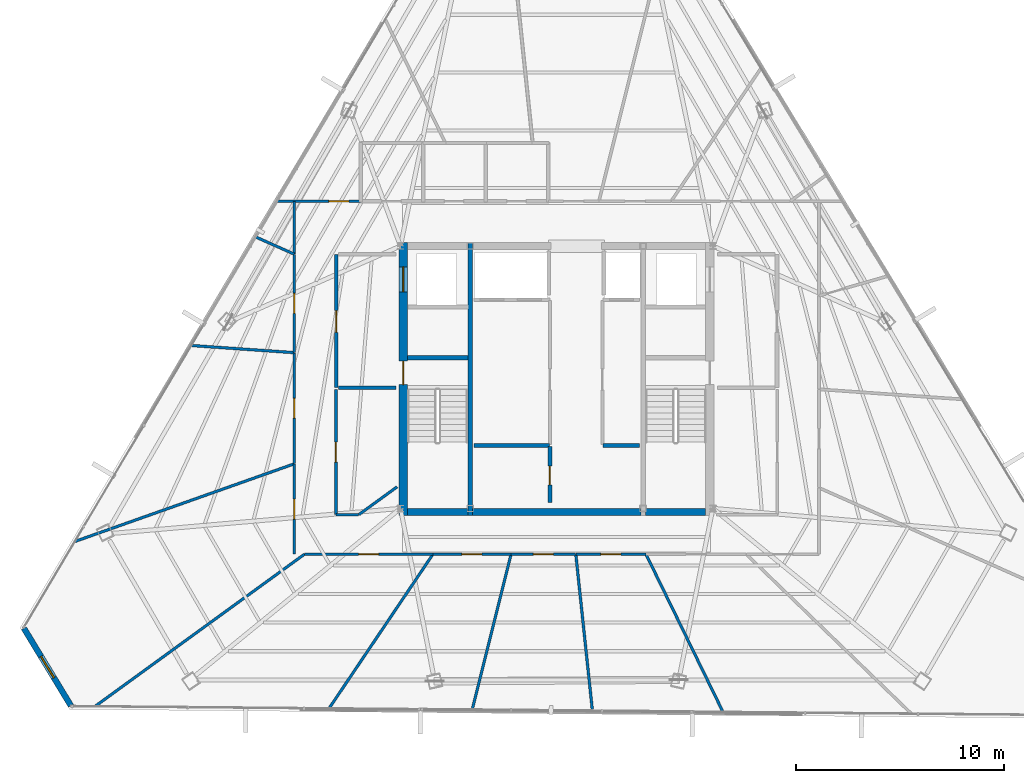
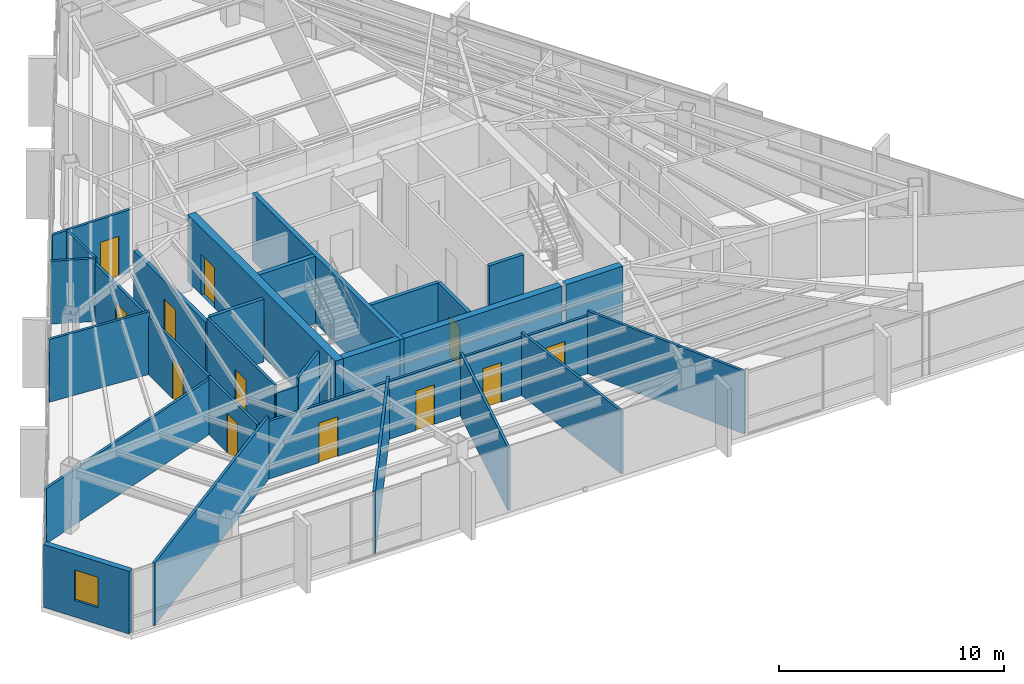
# One storey, part 37 of 42: 32 walls, 13 doors, 1 window, 14 openings.
"""IFC4 building model written with IfcOpenShell, lengths in metres."""

from ifc_helpers import new_model, si_unit, direction, frame, frame_2d, origin, place, context, subcontext, project, spatial, rectangle, extrude, material, layer, layer_set, type_object, element, fill, save


model = new_model("IFC4")

# Units and contexts
model_context = context("Model", 3, precision=1e-05, world=origin(), true_north=direction((0.0, 1.0)))
body_context = subcontext(model_context, "Body", "Model", "MODEL_VIEW")
ifc_project = project(units=[si_unit("LENGTHUNIT", "METRE"), si_unit("AREAUNIT", "SQUARE_METRE"), si_unit("VOLUMEUNIT", "CUBIC_METRE"), si_unit("PLANEANGLEUNIT", "RADIAN"), si_unit("MASSUNIT", "GRAM", prefix="KILO")], contexts=[model_context])

# Site, building, storey
site_placement = place(None, origin())
site = spatial("IfcSite", under=ifc_project, at=site_placement, CompositionType="ELEMENT")
building_placement = place(site_placement, origin())
building = spatial("IfcBuilding", under=site, at=building_placement, Name="Caelisora Broadcast Tower", CompositionType="ELEMENT")
storey_placement = place(building_placement, frame((0.0, 0.0, 244.449951171875)))
storey = spatial("IfcBuildingStorey", under=building, at=storey_placement, Name="L64", CompositionType="ELEMENT", Elevation=244.449951171875)

# Wall, openings, doors
ifc_material_1 = material(Name="Concrete 40 MPa (AS 3600 N40)", Category="concrete")
ifc_layer_1 = layer(ifc_material_1, 0.39990234375, Name="Concrete 40 MPa (AS 3600 N40)")
ifc_layer_set_1 = layer_set([ifc_layer_1], Name="Concrete 40 MPa (AS 3600 N40)")
wall_type_1 = type_object("IfcWallType", Name="CW3", PredefinedType="SHEAR", material=ifc_layer_set_1)
wall_1_placement = place(storey_placement, frame((30.639892578125, 17.050048828125, 0.0), z_axis=(0.0, 0.0, 1.0), x_axis=(0.0, 1.0, 0.0)))
wall_1 = element("IfcWall", 1, at=wall_1_placement, inside=storey, type_object=wall_type_1, Name="L64 core shear wall CW3", PredefinedType="SHEAR", context=body_context, shape_type="SweptSolid", body=[
    extrude(rectangle(XDim=13.125, YDim=0.39990234375, at=frame_2d((6.5625, 0.0))), origin(), (0.0, 0.0, 1.0), 3.650146484375),
])
opening_1_placement = place(wall_1_placement, frame((6.300048828125, 0.0, 0.0)))
opening_1 = element("IfcOpeningElement", 2, at=opening_1_placement, cuts=wall_1, Name="Opening FD04", PredefinedType="OPENING", context=body_context, shape_type="SweptSolid", body=[
    extrude(rectangle(XDim=1.1201171875, YDim=2.14990234375, at=frame_2d((0.56005859375, 1.074951171875))), frame((0.0, 0.2119140625, 0.0), z_axis=(0.0, -1.0, 0.0), x_axis=(1.0, 0.0, 0.0)), (0.0, 0.0, 1.0), 0.423828125),
])
opening_2_placement = place(wall_1_placement, frame((10.75, 0.0, 0.0)))
opening_2 = element("IfcOpeningElement", 3, at=opening_2_placement, cuts=wall_1, Name="Opening LD04", PredefinedType="OPENING", context=body_context, shape_type="SweptSolid", body=[
    extrude(rectangle(XDim=1.199951171875, YDim=2.199951171875, at=frame_2d((0.60009765625, 1.10009765625))), frame((0.0, 0.2119140625, 0.0), z_axis=(0.0, -1.0, 0.0), x_axis=(1.0, 0.0, 0.0)), (0.0, 0.0, 1.0), 0.423828125),
])
ifc_material_2 = material(Name="Pressurised Fire-Isolated Stair Door", Category="steel")
door_type_1 = type_object("IfcDoorType", Name="FD04", OperationType="NOTDEFINED", PredefinedType="DOOR", material=ifc_material_2)
door_1_placement = place(opening_1_placement, origin())
door_1 = element("IfcDoor", 4, at=door_1_placement, inside=storey, type_object=door_type_1, Name="L64 door FD04 (L64-DR-ST1)", OperationType="SINGLE_SWING_LEFT", OverallHeight=2.14990234375, OverallWidth=1.1201171875, PredefinedType="DOOR", context=body_context, shape_type="SweptSolid", body=[
    extrude(rectangle(XDim=1.1201171875, YDim=2.14990234375, at=frame_2d((0.56005859375, 1.074951171875))), frame((0.0, 0.02490234375, 0.0), z_axis=(0.0, -1.0, 0.0), x_axis=(1.0, 0.0, 0.0)), (0.0, 0.0, 1.0), 0.050048828125),
])
fill(opening_1, door_1)
ifc_material_3 = material(Name="Emergency Firefighting Lift Sliding Landing Door", Category="steel")
door_type_2 = type_object("IfcDoorType", Name="LD04", OperationType="NOTDEFINED", PredefinedType="DOOR", material=ifc_material_3)
door_2_placement = place(opening_2_placement, origin())
door_2 = element("IfcDoor", 5, at=door_2_placement, inside=storey, type_object=door_type_2, Name="L64 door LD04 (L64-LD-FFL1)", OperationType="SLIDING_TO_LEFT", OverallHeight=2.199951171875, OverallWidth=1.199951171875, PredefinedType="DOOR", context=body_context, shape_type="SweptSolid", body=[
    extrude(rectangle(XDim=1.199951171875, YDim=2.199951171875, at=frame_2d((0.60009765625, 1.10009765625))), frame((0.0, 0.02490234375, 0.0), z_axis=(0.0, -1.0, 0.0), x_axis=(1.0, 0.0, 0.0)), (0.0, 0.0, 1.0), 0.050048828125),
])
fill(opening_2, door_2)

# Walls
ifc_layer_2 = layer(ifc_material_1, 0.35009765625, Name="Concrete 40 MPa (AS 3600 N40)")
ifc_layer_set_2 = layer_set([ifc_layer_2], Name="Concrete 40 MPa (AS 3600 N40)")
wall_type_2 = type_object("IfcWallType", Name="CW6", PredefinedType="SHEAR", material=ifc_layer_set_2)
wall_2_placement = place(storey_placement, frame((30.840087890625, 17.22509765625, 0.0), z_axis=(0.0, 0.0, 1.0), x_axis=(1.0, 0.0, 0.0)))
element("IfcWall", 6, at=wall_2_placement, inside=storey, type_object=wall_type_2, Name="L64 core shear wall CW6", PredefinedType="SHEAR", context=body_context, shape_type="SweptSolid", body=[
    extrude(rectangle(XDim=2.89990234375, YDim=0.35009765625, at=frame_2d((1.449951171875, 0.0))), origin(), (0.0, 0.0, 1.0), 3.650146484375),
])
wall_3_placement = place(storey_placement, frame((33.9599609375, 17.22509765625, 0.0), z_axis=(0.0, 0.0, 1.0), x_axis=(1.0, 0.0, 0.0)))
element("IfcWall", 7, at=wall_3_placement, inside=storey, type_object=wall_type_2, Name="L64 core shear wall CW6", PredefinedType="SHEAR", context=body_context, shape_type="SweptSolid", body=[
    extrude(rectangle(XDim=8.080078125, YDim=0.35009765625, at=frame_2d((4.0400390625, 0.0))), origin(), (0.0, 0.0, 1.0), 3.650146484375),
])
wall_4_placement = place(storey_placement, frame((42.260009765625, 17.22509765625, 0.0), z_axis=(0.0, 0.0, 1.0), x_axis=(1.0, 0.0, 0.0)))
element("IfcWall", 8, at=wall_4_placement, inside=storey, type_object=wall_type_2, Name="L64 core shear wall CW6", PredefinedType="SHEAR", context=body_context, shape_type="SweptSolid", body=[
    extrude(rectangle(XDim=2.89990234375, YDim=0.35009765625, at=frame_2d((1.449951171875, 0.0))), origin(), (0.0, 0.0, 1.0), 3.650146484375),
])
ifc_material_4 = material(Name="Concrete 50 MPa (AS 3600 S50)", Category="concrete")
ifc_layer_3 = layer(ifc_material_4, 0.219970703125, Name="Concrete 50 MPa (AS 3600 S50)")
ifc_layer_set_3 = layer_set([ifc_layer_3], Name="Concrete 50 MPa (AS 3600 S50)")
wall_type_3 = type_object("IfcWallType", Name="CW7", PredefinedType="SHEAR", material=ifc_layer_set_3)
wall_5_placement = place(storey_placement, frame((33.85009765625, 17.050048828125, 0.0), z_axis=(0.0, 0.0, 1.0), x_axis=(0.0, 1.0, 0.0)))
element("IfcWall", 9, at=wall_5_placement, inside=storey, type_object=wall_type_3, Name="L64 core shear wall CW7", PredefinedType="SHEAR", context=body_context, shape_type="SweptSolid", body=[
    extrude(rectangle(XDim=13.125, YDim=0.219970703125, at=frame_2d((6.5625, 0.0))), origin(), (0.0, 0.0, 1.0), 3.650146484375),
])
wall_6_placement = place(storey_placement, frame((30.840087890625, 24.639892578125, 0.0), z_axis=(0.0, 0.0, 1.0), x_axis=(1.0, 0.0, 0.0)))
element("IfcWall", 10, at=wall_6_placement, inside=storey, type_object=wall_type_3, Name="L64 core shear wall CW7", PredefinedType="SHEAR", context=body_context, shape_type="SweptSolid", body=[
    extrude(rectangle(XDim=2.89990234375, YDim=0.219970703125, at=frame_2d((1.449951171875, 0.0))), origin(), (0.0, 0.0, 1.0), 3.650146484375),
])

# Wall, opening, window
ifc_material_5 = material(Name="Insulated Terracotta Spandrel Wall System", Category="masonry")
ifc_layer_4 = layer(ifc_material_5, 0.280029296875, Name="Insulated Terracotta Spandrel Wall System")
ifc_layer_set_4 = layer_set([ifc_layer_4], Name="Insulated Terracotta Spandrel Wall System")
wall_type_4 = type_object("IfcWallType", Name="EW1", PredefinedType="STANDARD", material=ifc_layer_set_4)
wall_7_placement = place(storey_placement, frame((14.67333984375, 7.924560546875, 0.0), z_axis=(0.0, 0.0, 1.0), x_axis=(-0.518678987338, 0.854969068501, 0.0)))
wall_7 = element("IfcWall", 11, at=wall_7_placement, inside=storey, type_object=wall_type_4, Name="L64 exterior envelope wall EW1", PredefinedType="STANDARD", context=body_context, shape_type="SweptSolid", body=[
    extrude(rectangle(XDim=4.344970703125, YDim=0.280029296875, at=frame_2d((2.17236328125, 0.0))), origin(), (0.0, 0.0, 1.0), 3.400146484375),
])
opening_3_placement = place(wall_7_placement, frame((1.570068359375, 0.0, 0.89990234375)))
opening_3 = element("IfcOpeningElement", 12, at=opening_3_placement, cuts=wall_7, Name="Opening W03", PredefinedType="OPENING", context=body_context, shape_type="SweptSolid", body=[
    extrude(rectangle(XDim=1.199951171875, YDim=1.64990234375, at=frame_2d((0.60009765625, 0.824951171875))), frame((0.0, 0.152099609375, 0.0), z_axis=(0.0, -1.0, 0.0), x_axis=(1.0, 0.0, 0.0)), (0.0, 0.0, 1.0), 0.303955078125),
])
ifc_material_6 = material(Name="Double Glazed Corner Vision Window", Category="glass")
window_type = type_object("IfcWindowType", Name="W03", PartitioningType="SINGLE_PANEL", PredefinedType="WINDOW", material=ifc_material_6)
window_placement = place(opening_3_placement, origin())
window = element("IfcWindow", 13, at=window_placement, inside=storey, type_object=window_type, Name="L64 window W03 (L64-WN-CH4)", OverallHeight=1.64990234375, OverallWidth=1.199951171875, PartitioningType="SINGLE_PANEL", PredefinedType="WINDOW", context=body_context, shape_type="SweptSolid", body=[
    extrude(rectangle(XDim=1.199951171875, YDim=1.64990234375, at=frame_2d((0.60009765625, 0.824951171875))), frame((0.0, 0.030029296875, 0.0), z_axis=(0.0, -1.0, 0.0), x_axis=(1.0, 0.0, 0.0)), (0.0, 0.0, 1.0), 0.06005859375),
])
fill(opening_3, window)

# Wall, opening, door
ifc_material_7 = material(Name="Fire-Rated Gypsum Shaft and Compartment Wall", Category="gypsum")
ifc_layer_5 = layer(ifc_material_7, 0.179931640625, Name="Fire-Rated Gypsum Shaft and Compartment Wall")
ifc_layer_set_5 = layer_set([ifc_layer_5], Name="Fire-Rated Gypsum Shaft and Compartment Wall")
wall_type_5 = type_object("IfcWallType", Name="PW2", PredefinedType="PARTITIONING", material=ifc_layer_set_5)
wall_8_placement = place(storey_placement, frame((27.419921875, 23.199951171875, 0.0), z_axis=(0.0, 0.0, 1.0), x_axis=(0.0, 1.0, 0.0)))
wall_8 = element("IfcWall", 14, at=wall_8_placement, inside=storey, type_object=wall_type_5, Name="L64 fire compartment wall PW2", PredefinedType="PARTITIONING", context=body_context, shape_type="SweptSolid", body=[
    extrude(rectangle(XDim=6.400146484375, YDim=0.179931640625, at=frame_2d((3.2001953125, 0.0))), origin(), (0.0, 0.0, 1.0), 3.12890625),
])
opening_4_placement = place(wall_8_placement, frame((2.64990234375, 0.0, 0.0)))
opening_4 = element("IfcOpeningElement", 15, at=opening_4_placement, cuts=wall_8, Name="Opening FD02", PredefinedType="OPENING", context=body_context, shape_type="SweptSolid", body=[
    extrude(rectangle(XDim=1.050048828125, YDim=2.14990234375, at=frame_2d((0.52490234375, 1.074951171875))), frame((0.0, 0.10205078125, 0.0), z_axis=(0.0, -1.0, 0.0), x_axis=(1.0, 0.0, 0.0)), (0.0, 0.0, 1.0), 0.203857421875),
])
ifc_material_8 = material(Name="Single-Leaf Steel Fire Lobby Door", Category="steel")
door_type_3 = type_object("IfcDoorType", Name="FD02", OperationType="NOTDEFINED", PredefinedType="DOOR", material=ifc_material_8)
door_3_placement = place(opening_4_placement, origin())
door_3 = element("IfcDoor", 16, at=door_3_placement, inside=storey, type_object=door_type_3, Name="L64 door FD02 (L64-DR-P01D1)", OperationType="SINGLE_SWING_LEFT", OverallHeight=2.14990234375, OverallWidth=1.050048828125, PredefinedType="DOOR", context=body_context, shape_type="SweptSolid", body=[
    extrude(rectangle(XDim=1.050048828125, YDim=2.14990234375, at=frame_2d((0.52490234375, 1.074951171875))), frame((0.0, 0.02490234375, 0.0), z_axis=(0.0, -1.0, 0.0), x_axis=(1.0, 0.0, 0.0)), (0.0, 0.0, 1.0), 0.050048828125),
])
fill(opening_4, door_3)

# Walls
wall_9_placement = place(storey_placement, frame((27.52001953125, 23.199951171875, 0.0), z_axis=(0.0, 0.0, 1.0), x_axis=(1.0, 0.0, 0.0)))
element("IfcWall", 17, at=wall_9_placement, inside=storey, type_object=wall_type_5, Name="L64 fire compartment wall PW2", PredefinedType="PARTITIONING", context=body_context, shape_type="SweptSolid", body=[
    extrude(rectangle(XDim=2.760009765625, YDim=0.179931640625, at=frame_2d((1.3798828125, 0.0))), origin(), (0.0, 0.0, 1.0), 3.400146484375),
])
wall_10_placement = place(storey_placement, frame((34.02001953125, 20.419921875, 0.0), z_axis=(0.0, 0.0, 1.0), x_axis=(1.0, 0.0, 0.0)))
element("IfcWall", 18, at=wall_10_placement, inside=storey, type_object=wall_type_5, Name="L64 fire compartment wall PW2", PredefinedType="PARTITIONING", context=body_context, shape_type="SweptSolid", body=[
    extrude(rectangle(XDim=3.639892578125, YDim=0.179931640625, at=frame_2d((1.81982421875, 0.0))), origin(), (0.0, 0.0, 1.0), 3.400146484375),
])
wall_11_placement = place(storey_placement, frame((40.219970703125, 20.419921875, 0.0), z_axis=(0.0, 0.0, 1.0), x_axis=(1.0, 0.0, 0.0)))
element("IfcWall", 19, at=wall_11_placement, inside=storey, type_object=wall_type_5, Name="L64 fire compartment wall PW2", PredefinedType="PARTITIONING", context=body_context, shape_type="SweptSolid", body=[
    extrude(rectangle(XDim=1.760009765625, YDim=0.179931640625, at=frame_2d((0.8798828125, 0.0))), origin(), (0.0, 0.0, 1.0), 3.400146484375),
])

# Wall, opening, door
wall_12_placement = place(storey_placement, frame((37.679931640625, 17.679931640625, 0.0), z_axis=(0.0, 0.0, 1.0), x_axis=(0.0, 1.0, 0.0)))
wall_12 = element("IfcWall", 20, at=wall_12_placement, inside=storey, type_object=wall_type_5, Name="L64 fire compartment wall PW2", PredefinedType="PARTITIONING", context=body_context, shape_type="SweptSolid", body=[
    extrude(rectangle(XDim=2.699951171875, YDim=0.179931640625, at=frame_2d((1.35009765625, 0.0))), origin(), (0.0, 0.0, 1.0), 3.400146484375),
])
opening_5_placement = place(wall_12_placement, frame((0.85009765625, 0.0, 0.0)))
opening_5 = element("IfcOpeningElement", 21, at=opening_5_placement, cuts=wall_12, Name="Opening FD03", PredefinedType="OPENING", context=body_context, shape_type="SweptSolid", body=[
    extrude(rectangle(XDim=0.89990234375, YDim=2.10009765625, at=frame_2d((0.449951171875, 1.050048828125))), frame((0.0, 0.10205078125, 0.0), z_axis=(0.0, -1.0, 0.0), x_axis=(1.0, 0.0, 0.0)), (0.0, 0.0, 1.0), 0.203857421875),
])
ifc_material_9 = material(Name="Single-Leaf Steel Riser Fire Access Door", Category="steel")
door_type_4 = type_object("IfcDoorType", Name="FD03", OperationType="NOTDEFINED", PredefinedType="DOOR", material=ifc_material_9)
door_4_placement = place(opening_5_placement, origin())
door_4 = element("IfcDoor", 22, at=door_4_placement, inside=storey, type_object=door_type_4, Name="L64 door FD03 (L64-DR-P13D1)", OperationType="SINGLE_SWING_LEFT", OverallHeight=2.10009765625, OverallWidth=0.89990234375, PredefinedType="DOOR", context=body_context, shape_type="SweptSolid", body=[
    extrude(rectangle(XDim=0.89990234375, YDim=2.10009765625, at=frame_2d((0.449951171875, 1.050048828125))), frame((0.0, 0.02490234375, 0.0), z_axis=(0.0, -1.0, 0.0), x_axis=(1.0, 0.0, 0.0)), (0.0, 0.0, 1.0), 0.050048828125),
])
fill(opening_5, door_4)

# Walls
ifc_material_10 = material(Name="Acoustic Steel-Stud Plasterboard Partition", Category="gypsum")
ifc_layer_6 = layer(ifc_material_10, 0.1298828125, Name="Acoustic Steel-Stud Plasterboard Partition")
ifc_layer_set_6 = layer_set([ifc_layer_6], Name="Acoustic Steel-Stud Plasterboard Partition")
wall_type_6 = type_object("IfcWallType", Name="PW3", PredefinedType="PARTITIONING", material=ifc_layer_set_6)
wall_13_placement = place(storey_placement, frame((15.819580078125, 7.884033203125, 0.0), z_axis=(0.0, 0.0, 1.0), x_axis=(0.809043133631, 0.587749273011, 0.0)))
element("IfcWall", 23, at=wall_13_placement, inside=storey, type_object=wall_type_6, Name="L64 internal partition PW3", PredefinedType="PARTITIONING", context=body_context, shape_type="SweptSolid", body=[
    extrude(rectangle(XDim=12.4423828125, YDim=0.1298828125, at=frame_2d((6.22119140625, 0.0))), origin(), (0.0, 0.0, 1.0), 3.400146484375),
])
wall_14_placement = place(storey_placement, frame((14.86279296875, 15.810546875, 0.0), z_axis=(0.0, 0.0, 1.0), x_axis=(0.942701126823, 0.333638405293, 0.0)))
element("IfcWall", 24, at=wall_14_placement, inside=storey, type_object=wall_type_6, Name="L64 internal partition PW3", PredefinedType="PARTITIONING", context=body_context, shape_type="SweptSolid", body=[
    extrude(rectangle(XDim=11.17236328125, YDim=0.1298828125, at=frame_2d((5.586181640625, 0.0))), origin(), (0.0, 0.0, 1.0), 2.985107421875),
])
wall_15_placement = place(storey_placement, frame((27.0625, 7.78271484375, 0.0), z_axis=(0.0, 0.0, 1.0), x_axis=(0.558733820508, 0.829347043053, 0.0)))
element("IfcWall", 25, at=wall_15_placement, inside=storey, type_object=wall_type_6, Name="L64 internal partition PW3", PredefinedType="PARTITIONING", context=body_context, shape_type="SweptSolid", body=[
    extrude(rectangle(XDim=8.938720703125, YDim=0.1298828125, at=frame_2d((4.46923828125, 0.0))), origin(), (0.0, 0.0, 1.0), 3.400146484375),
])
wall_16_placement = place(storey_placement, frame((42.2919921875, 15.196044921875, 0.0), z_axis=(0.0, 0.0, 1.0), x_axis=(0.438770116062, -0.898599346345, 0.0)))
element("IfcWall", 26, at=wall_16_placement, inside=storey, type_object=wall_type_6, Name="L64 internal partition PW3", PredefinedType="PARTITIONING", context=body_context, shape_type="SweptSolid", body=[
    extrude(rectangle(XDim=8.439697265625, YDim=0.1298828125, at=frame_2d((4.2197265625, 0.0))), origin(), (0.0, 0.0, 1.0), 3.400146484375),
])
wall_17_placement = place(storey_placement, frame((33.942626953125, 7.720703125, 0.0), z_axis=(0.0, 0.0, 1.0), x_axis=(0.242274634851, 0.970207710394, 0.0)))
element("IfcWall", 27, at=wall_17_placement, inside=storey, type_object=wall_type_6, Name="L64 internal partition PW3", PredefinedType="PARTITIONING", context=body_context, shape_type="SweptSolid", body=[
    extrude(rectangle(XDim=7.703857421875, YDim=0.1298828125, at=frame_2d((3.85205078125, 0.0))), origin(), (0.0, 0.0, 1.0), 3.400146484375),
])
wall_18_placement = place(storey_placement, frame((38.9208984375, 15.195068359375, 0.0), z_axis=(0.0, 0.0, 1.0), x_axis=(0.105512559397, -0.994417970377, 0.0)))
element("IfcWall", 28, at=wall_18_placement, inside=storey, type_object=wall_type_6, Name="L64 internal partition PW3", PredefinedType="PARTITIONING", context=body_context, shape_type="SweptSolid", body=[
    extrude(rectangle(XDim=7.568603515625, YDim=0.1298828125, at=frame_2d((3.7841796875, 0.0))), origin(), (0.0, 0.0, 1.0), 3.400146484375),
])

# Wall, opening, door
wall_19_placement = place(storey_placement, frame((25.89501953125, 15.199951171875, 0.0), z_axis=(0.0, 0.0, 1.0), x_axis=(1.0, 0.0, 0.0)))
wall_19 = element("IfcWall", 29, at=wall_19_placement, inside=storey, type_object=wall_type_6, Name="L64 internal partition PW3", PredefinedType="PARTITIONING", context=body_context, shape_type="SweptSolid", body=[
    extrude(rectangle(XDim=6.159912109375, YDim=0.1298828125, at=frame_2d((3.080078125, 0.0))), origin(), (0.0, 0.0, 1.0), 3.12890625),
])
opening_6_placement = place(wall_19_placement, frame((2.60009765625, 0.0, 0.0)))
opening_6 = element("IfcOpeningElement", 30, at=opening_6_placement, cuts=wall_19, Name="Opening D01", PredefinedType="OPENING", context=body_context, shape_type="SweptSolid", body=[
    extrude(rectangle(XDim=0.9599609375, YDim=2.14990234375, at=frame_2d((0.47998046875, 1.074951171875))), frame((0.0, 0.076904296875, 0.0), z_axis=(0.0, -1.0, 0.0), x_axis=(1.0, 0.0, 0.0)), (0.0, 0.0, 1.0), 0.15380859375),
])
ifc_material_11 = material(Name="Solid-Core Timber Acoustic Office Door", Category="wood")
door_type_5 = type_object("IfcDoorType", Name="D01", OperationType="NOTDEFINED", PredefinedType="DOOR", material=ifc_material_11)
door_5_placement = place(opening_6_placement, origin())
door_5 = element("IfcDoor", 31, at=door_5_placement, inside=storey, type_object=door_type_5, Name="L64 door D01 (L64-DR-P41D1)", OperationType="SINGLE_SWING_RIGHT", OverallHeight=2.14990234375, OverallWidth=0.9599609375, PredefinedType="DOOR", context=body_context, shape_type="SweptSolid", body=[
    extrude(rectangle(XDim=0.9599609375, YDim=2.14990234375, at=frame_2d((0.47998046875, 1.074951171875))), frame((0.0, 0.02490234375, 0.0), z_axis=(0.0, -1.0, 0.0), x_axis=(1.0, 0.0, 0.0)), (0.0, 0.0, 1.0), 0.050048828125),
])
fill(opening_6, door_5)

wall_20_placement = place(storey_placement, frame((27.39990234375, 17.10498046875, 0.0), z_axis=(0.0, 0.0, 1.0), x_axis=(0.0, 1.0, 0.0)))
wall_20 = element("IfcWall", 32, at=wall_20_placement, inside=storey, type_object=wall_type_6, Name="L64 internal partition PW3", PredefinedType="PARTITIONING", context=body_context, shape_type="SweptSolid", body=[
    extrude(rectangle(XDim=6.0, YDim=0.1298828125, at=frame_2d((3.0, 0.0))), origin(), (0.0, 0.0, 1.0), 3.400146484375),
])
opening_7_placement = place(wall_20_placement, frame((2.52001953125, 0.0, 0.0)))
opening_7 = element("IfcOpeningElement", 33, at=opening_7_placement, cuts=wall_20, Name="Opening D01", PredefinedType="OPENING", context=body_context, shape_type="SweptSolid", body=[
    extrude(rectangle(XDim=0.9599609375, YDim=2.14990234375, at=frame_2d((0.47998046875, 1.074951171875))), frame((0.0, 0.076904296875, 0.0), z_axis=(0.0, -1.0, 0.0), x_axis=(1.0, 0.0, 0.0)), (0.0, 0.0, 1.0), 0.15380859375),
])
door_6_placement = place(opening_7_placement, origin())
door_6 = element("IfcDoor", 34, at=door_6_placement, inside=storey, type_object=door_type_5, Name="L64 door D01 (L64-DR-P42D1)", OperationType="SINGLE_SWING_LEFT", OverallHeight=2.14990234375, OverallWidth=0.9599609375, PredefinedType="DOOR", context=body_context, shape_type="SweptSolid", body=[
    extrude(rectangle(XDim=0.9599609375, YDim=2.14990234375, at=frame_2d((0.47998046875, 1.074951171875))), frame((0.0, 0.02490234375, 0.0), z_axis=(0.0, -1.0, 0.0), x_axis=(1.0, 0.0, 0.0)), (0.0, 0.0, 1.0), 0.050048828125),
])
fill(opening_7, door_6)

wall_21_placement = place(storey_placement, frame((25.39990234375, 19.544921875, 0.0), z_axis=(0.0, 0.0, 1.0), x_axis=(0.0, 1.0, 0.0)))
wall_21 = element("IfcWall", 35, at=wall_21_placement, inside=storey, type_object=wall_type_6, Name="L64 internal partition PW3", PredefinedType="PARTITIONING", context=body_context, shape_type="SweptSolid", body=[
    extrude(rectangle(XDim=5.330078125, YDim=0.1298828125, at=frame_2d((2.6650390625, 0.0))), origin(), (0.0, 0.0, 1.0), 3.12890625),
])
opening_8_placement = place(wall_21_placement, frame((2.18505859375, 0.0, 0.0)))
opening_8 = element("IfcOpeningElement", 36, at=opening_8_placement, cuts=wall_21, Name="Opening D01", PredefinedType="OPENING", context=body_context, shape_type="SweptSolid", body=[
    extrude(rectangle(XDim=0.9599609375, YDim=2.14990234375, at=frame_2d((0.47998046875, 1.074951171875))), frame((0.0, 0.076904296875, 0.0), z_axis=(0.0, -1.0, 0.0), x_axis=(1.0, 0.0, 0.0)), (0.0, 0.0, 1.0), 0.15380859375),
])
door_7_placement = place(opening_8_placement, origin())
door_7 = element("IfcDoor", 37, at=door_7_placement, inside=storey, type_object=door_type_5, Name="L64 door D01 (L64-DR-P45D1)", OperationType="SINGLE_SWING_RIGHT", OverallHeight=2.14990234375, OverallWidth=0.9599609375, PredefinedType="DOOR", context=body_context, shape_type="SweptSolid", body=[
    extrude(rectangle(XDim=0.9599609375, YDim=2.14990234375, at=frame_2d((0.47998046875, 1.074951171875))), frame((0.0, 0.02490234375, 0.0), z_axis=(0.0, -1.0, 0.0), x_axis=(1.0, 0.0, 0.0)), (0.0, 0.0, 1.0), 0.050048828125),
])
fill(opening_8, door_7)

# Wall
wall_22_placement = place(storey_placement, frame((20.4580078125, 25.222412109375, 0.0), z_axis=(0.0, 0.0, 1.0), x_axis=(0.997601870104, -0.069213501323, 0.0)))
element("IfcWall", 38, at=wall_22_placement, inside=storey, type_object=wall_type_6, Name="L64 internal partition PW3", PredefinedType="PARTITIONING", context=body_context, shape_type="SweptSolid", body=[
    extrude(rectangle(XDim=4.948974609375, YDim=0.1298828125, at=frame_2d((2.474609375, 0.0))), origin(), (0.0, 0.0, 1.0), 3.400146484375),
])

# Wall, opening, door
wall_23_placement = place(storey_placement, frame((25.39990234375, 24.885009765625, 0.0), z_axis=(0.0, 0.0, 1.0), x_axis=(0.0, 1.0, 0.0)))
wall_23 = element("IfcWall", 39, at=wall_23_placement, inside=storey, type_object=wall_type_6, Name="L64 internal partition PW3", PredefinedType="PARTITIONING", context=body_context, shape_type="SweptSolid", body=[
    extrude(rectangle(XDim=4.719970703125, YDim=0.1298828125, at=frame_2d((2.35986328125, 0.0))), origin(), (0.0, 0.0, 1.0), 3.12890625),
])
opening_9_placement = place(wall_23_placement, frame((1.8798828125, 0.0, 0.0)))
opening_9 = element("IfcOpeningElement", 40, at=opening_9_placement, cuts=wall_23, Name="Opening D01", PredefinedType="OPENING", context=body_context, shape_type="SweptSolid", body=[
    extrude(rectangle(XDim=0.9599609375, YDim=2.14990234375, at=frame_2d((0.47998046875, 1.074951171875))), frame((0.0, 0.076904296875, 0.0), z_axis=(0.0, -1.0, 0.0), x_axis=(1.0, 0.0, 0.0)), (0.0, 0.0, 1.0), 0.15380859375),
])
door_8_placement = place(opening_9_placement, origin())
door_8 = element("IfcDoor", 41, at=door_8_placement, inside=storey, type_object=door_type_5, Name="L64 door D01 (L64-DR-P49D1)", OperationType="SINGLE_SWING_LEFT", OverallHeight=2.14990234375, OverallWidth=0.9599609375, PredefinedType="DOOR", context=body_context, shape_type="SweptSolid", body=[
    extrude(rectangle(XDim=0.9599609375, YDim=2.14990234375, at=frame_2d((0.47998046875, 1.074951171875))), frame((0.0, 0.02490234375, 0.0), z_axis=(0.0, -1.0, 0.0), x_axis=(1.0, 0.0, 0.0)), (0.0, 0.0, 1.0), 0.050048828125),
])
fill(opening_9, door_8)

wall_24_placement = place(storey_placement, frame((25.39990234375, 19.534912109375, 0.0), z_axis=(0.0, 0.0, 1.0), x_axis=(0.0, -1.0, 0.0)))
wall_24 = element("IfcWall", 42, at=wall_24_placement, inside=storey, type_object=wall_type_6, Name="L64 internal partition PW3", PredefinedType="PARTITIONING", context=body_context, shape_type="SweptSolid", body=[
    extrude(rectangle(XDim=4.329833984375, YDim=0.1298828125, at=frame_2d((2.1650390625, 0.0))), origin(), (0.0, 0.0, 1.0), 3.12890625),
])
opening_10_placement = place(wall_24_placement, frame((1.68505859375, 0.0, 0.0)))
opening_10 = element("IfcOpeningElement", 43, at=opening_10_placement, cuts=wall_24, Name="Opening D01", PredefinedType="OPENING", context=body_context, shape_type="SweptSolid", body=[
    extrude(rectangle(XDim=0.9599609375, YDim=2.14990234375, at=frame_2d((0.47998046875, 1.074951171875))), frame((0.0, 0.076904296875, 0.0), z_axis=(0.0, -1.0, 0.0), x_axis=(1.0, 0.0, 0.0)), (0.0, 0.0, 1.0), 0.15380859375),
])
door_9_placement = place(opening_10_placement, origin())
door_9 = element("IfcDoor", 44, at=door_9_placement, inside=storey, type_object=door_type_5, Name="L64 door D01 (L64-DR-P52D1)", OperationType="SINGLE_SWING_LEFT", OverallHeight=2.14990234375, OverallWidth=0.9599609375, PredefinedType="DOOR", context=body_context, shape_type="SweptSolid", body=[
    extrude(rectangle(XDim=0.9599609375, YDim=2.14990234375, at=frame_2d((0.47998046875, 1.074951171875))), frame((0.0, 0.02490234375, 0.0), z_axis=(0.0, -1.0, 0.0), x_axis=(1.0, 0.0, 0.0)), (0.0, 0.0, 1.0), 0.050048828125),
])
fill(opening_10, door_9)

wall_25_placement = place(storey_placement, frame((32.06494140625, 15.199951171875, 0.0), z_axis=(0.0, 0.0, 1.0), x_axis=(1.0, 0.0, 0.0)))
wall_25 = element("IfcWall", 45, at=wall_25_placement, inside=storey, type_object=wall_type_6, Name="L64 internal partition PW3", PredefinedType="PARTITIONING", context=body_context, shape_type="SweptSolid", body=[
    extrude(rectangle(XDim=3.739990234375, YDim=0.1298828125, at=frame_2d((1.8701171875, 0.0))), origin(), (0.0, 0.0, 1.0), 3.12890625),
])
opening_11_placement = place(wall_25_placement, frame((1.389892578125, 0.0, 0.0)))
opening_11 = element("IfcOpeningElement", 46, at=opening_11_placement, cuts=wall_25, Name="Opening D01", PredefinedType="OPENING", context=body_context, shape_type="SweptSolid", body=[
    extrude(rectangle(XDim=0.9599609375, YDim=2.14990234375, at=frame_2d((0.47998046875, 1.074951171875))), frame((0.0, 0.076904296875, 0.0), z_axis=(0.0, -1.0, 0.0), x_axis=(1.0, 0.0, 0.0)), (0.0, 0.0, 1.0), 0.15380859375),
])
door_10_placement = place(opening_11_placement, origin())
door_10 = element("IfcDoor", 47, at=door_10_placement, inside=storey, type_object=door_type_5, Name="L64 door D01 (L64-DR-P53D1)", OperationType="SINGLE_SWING_RIGHT", OverallHeight=2.14990234375, OverallWidth=0.9599609375, PredefinedType="DOOR", context=body_context, shape_type="SweptSolid", body=[
    extrude(rectangle(XDim=0.9599609375, YDim=2.14990234375, at=frame_2d((0.47998046875, 1.074951171875))), frame((0.0, 0.02490234375, 0.0), z_axis=(0.0, -1.0, 0.0), x_axis=(1.0, 0.0, 0.0)), (0.0, 0.0, 1.0), 0.050048828125),
])
fill(opening_11, door_10)

wall_26_placement = place(storey_placement, frame((38.925048828125, 15.199951171875, 0.0), z_axis=(0.0, 0.0, 1.0), x_axis=(1.0, 0.0, 0.0)))
wall_26 = element("IfcWall", 48, at=wall_26_placement, inside=storey, type_object=wall_type_6, Name="L64 internal partition PW3", PredefinedType="PARTITIONING", context=body_context, shape_type="SweptSolid", body=[
    extrude(rectangle(XDim=3.35986328125, YDim=0.1298828125, at=frame_2d((1.679931640625, 0.0))), origin(), (0.0, 0.0, 1.0), 3.12890625),
])
opening_12_placement = place(wall_26_placement, frame((1.199951171875, 0.0, 0.0)))
opening_12 = element("IfcOpeningElement", 49, at=opening_12_placement, cuts=wall_26, Name="Opening D01", PredefinedType="OPENING", context=body_context, shape_type="SweptSolid", body=[
    extrude(rectangle(XDim=0.9599609375, YDim=2.14990234375, at=frame_2d((0.47998046875, 1.074951171875))), frame((0.0, 0.076904296875, 0.0), z_axis=(0.0, -1.0, 0.0), x_axis=(1.0, 0.0, 0.0)), (0.0, 0.0, 1.0), 0.15380859375),
])
door_11_placement = place(opening_12_placement, origin())
door_11 = element("IfcDoor", 50, at=door_11_placement, inside=storey, type_object=door_type_5, Name="L64 door D01 (L64-DR-P57D1)", OperationType="SINGLE_SWING_RIGHT", OverallHeight=2.14990234375, OverallWidth=0.9599609375, PredefinedType="DOOR", context=body_context, shape_type="SweptSolid", body=[
    extrude(rectangle(XDim=0.9599609375, YDim=2.14990234375, at=frame_2d((0.47998046875, 1.074951171875))), frame((0.0, 0.02490234375, 0.0), z_axis=(0.0, -1.0, 0.0), x_axis=(1.0, 0.0, 0.0)), (0.0, 0.0, 1.0), 0.050048828125),
])
fill(opening_12, door_11)

wall_27_placement = place(storey_placement, frame((24.60205078125, 32.14990234375, 0.0), z_axis=(0.0, 0.0, 1.0), x_axis=(1.0, 0.0, 0.0)))
wall_27 = element("IfcWall", 51, at=wall_27_placement, inside=storey, type_object=wall_type_6, Name="L64 internal partition PW3", PredefinedType="PARTITIONING", context=body_context, shape_type="SweptSolid", body=[
    extrude(rectangle(XDim=3.992919921875, YDim=0.1298828125, at=frame_2d((1.99658203125, 0.0))), origin(), (0.0, 0.0, 1.0), 3.400146484375),
])
opening_13_placement = place(wall_27_placement, frame((2.4599609375, 0.0, 0.0)))
opening_13 = element("IfcOpeningElement", 52, at=opening_13_placement, cuts=wall_27, Name="Opening D01", PredefinedType="OPENING", context=body_context, shape_type="SweptSolid", body=[
    extrude(rectangle(XDim=0.9599609375, YDim=2.14990234375, at=frame_2d((0.47998046875, 1.074951171875))), frame((0.0, 0.076904296875, 0.0), z_axis=(0.0, -1.0, 0.0), x_axis=(1.0, 0.0, 0.0)), (0.0, 0.0, 1.0), 0.15380859375),
])
door_12_placement = place(opening_13_placement, origin())
door_12 = element("IfcDoor", 53, at=door_12_placement, inside=storey, type_object=door_type_5, Name="L64 door D01 (L64-DR-P58D1)", OperationType="SINGLE_SWING_LEFT", OverallHeight=2.14990234375, OverallWidth=0.9599609375, PredefinedType="DOOR", context=body_context, shape_type="SweptSolid", body=[
    extrude(rectangle(XDim=0.9599609375, YDim=2.14990234375, at=frame_2d((0.47998046875, 1.074951171875))), frame((0.0, 0.02490234375, 0.0), z_axis=(0.0, -1.0, 0.0), x_axis=(1.0, 0.0, 0.0)), (0.0, 0.0, 1.0), 0.050048828125),
])
fill(opening_13, door_12)

wall_28_placement = place(storey_placement, frame((35.81494140625, 15.199951171875, 0.0), z_axis=(0.0, 0.0, 1.0), x_axis=(1.0, 0.0, 0.0)))
wall_28 = element("IfcWall", 54, at=wall_28_placement, inside=storey, type_object=wall_type_6, Name="L64 internal partition PW3", PredefinedType="PARTITIONING", context=body_context, shape_type="SweptSolid", body=[
    extrude(rectangle(XDim=3.10009765625, YDim=0.1298828125, at=frame_2d((1.550048828125, 0.0))), origin(), (0.0, 0.0, 1.0), 3.12890625),
])
opening_14_placement = place(wall_28_placement, frame((1.070068359375, 0.0, 0.0)))
opening_14 = element("IfcOpeningElement", 55, at=opening_14_placement, cuts=wall_28, Name="Opening D01", PredefinedType="OPENING", context=body_context, shape_type="SweptSolid", body=[
    extrude(rectangle(XDim=0.9599609375, YDim=2.14990234375, at=frame_2d((0.47998046875, 1.074951171875))), frame((0.0, 0.076904296875, 0.0), z_axis=(0.0, -1.0, 0.0), x_axis=(1.0, 0.0, 0.0)), (0.0, 0.0, 1.0), 0.15380859375),
])
door_13_placement = place(opening_14_placement, origin())
door_13 = element("IfcDoor", 56, at=door_13_placement, inside=storey, type_object=door_type_5, Name="L64 door D01 (L64-DR-P60D1)", OperationType="SINGLE_SWING_RIGHT", OverallHeight=2.14990234375, OverallWidth=0.9599609375, PredefinedType="DOOR", context=body_context, shape_type="SweptSolid", body=[
    extrude(rectangle(XDim=0.9599609375, YDim=2.14990234375, at=frame_2d((0.47998046875, 1.074951171875))), frame((0.0, 0.02490234375, 0.0), z_axis=(0.0, -1.0, 0.0), x_axis=(1.0, 0.0, 0.0)), (0.0, 0.0, 1.0), 0.050048828125),
])
fill(opening_14, door_13)

# Walls
wall_29_placement = place(storey_placement, frame((25.39990234375, 29.614990234375, 0.0), z_axis=(0.0, 0.0, 1.0), x_axis=(0.0, 1.0, 0.0)))
element("IfcWall", 57, at=wall_29_placement, inside=storey, type_object=wall_type_6, Name="L64 internal partition PW3", PredefinedType="PARTITIONING", context=body_context, shape_type="SweptSolid", body=[
    extrude(rectangle(XDim=2.530029296875, YDim=0.1298828125, at=frame_2d((1.26513671875, 0.0))), origin(), (0.0, 0.0, 1.0), 3.400146484375),
])
wall_30_placement = place(storey_placement, frame((30.339111328125, 18.43603515625, 0.0), z_axis=(0.0, 0.0, 1.0), x_axis=(-0.809089677868, -0.587685199037, 0.0)))
element("IfcWall", 58, at=wall_30_placement, inside=storey, type_object=wall_type_6, Name="L64 internal partition PW3", PredefinedType="PARTITIONING", context=body_context, shape_type="SweptSolid", body=[
    extrude(rectangle(XDim=2.268310546875, YDim=0.1298828125, at=frame_2d((1.13427734375, 0.0))), origin(), (0.0, 0.0, 1.0), 3.400146484375),
])
wall_31_placement = place(storey_placement, frame((23.554931640625, 30.43212890625, 0.0), z_axis=(0.0, 0.0, 1.0), x_axis=(0.913396283193, -0.407071529156, 0.0)))
element("IfcWall", 59, at=wall_31_placement, inside=storey, type_object=wall_type_6, Name="L64 internal partition PW3", PredefinedType="PARTITIONING", context=body_context, shape_type="SweptSolid", body=[
    extrude(rectangle(XDim=2.0146484375, YDim=0.1298828125, at=frame_2d((1.00732421875, 0.0))), origin(), (0.0, 0.0, 1.0), 3.400146484375),
])
wall_32_placement = place(storey_placement, frame((28.4951171875, 17.10009765625, 0.0), z_axis=(0.0, 0.0, 1.0), x_axis=(-1.0, 0.0, 0.0)))
element("IfcWall", 60, at=wall_32_placement, inside=storey, type_object=wall_type_6, Name="L64 internal partition PW3", PredefinedType="PARTITIONING", context=body_context, shape_type="SweptSolid", body=[
    extrude(rectangle(XDim=1.090087890625, YDim=0.1298828125, at=frame_2d((0.544921875, 0.0))), origin(), (0.0, 0.0, 1.0), 2.985107421875),
])

save(model, "model.ifc")
